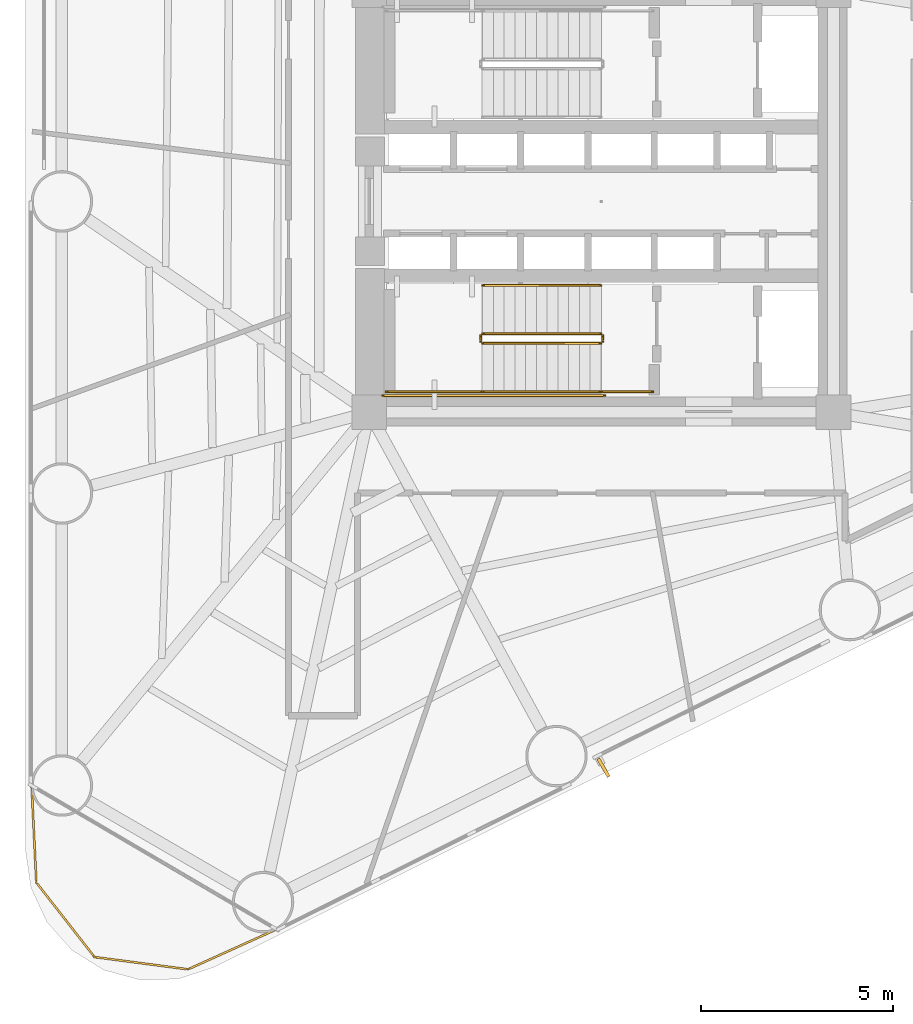
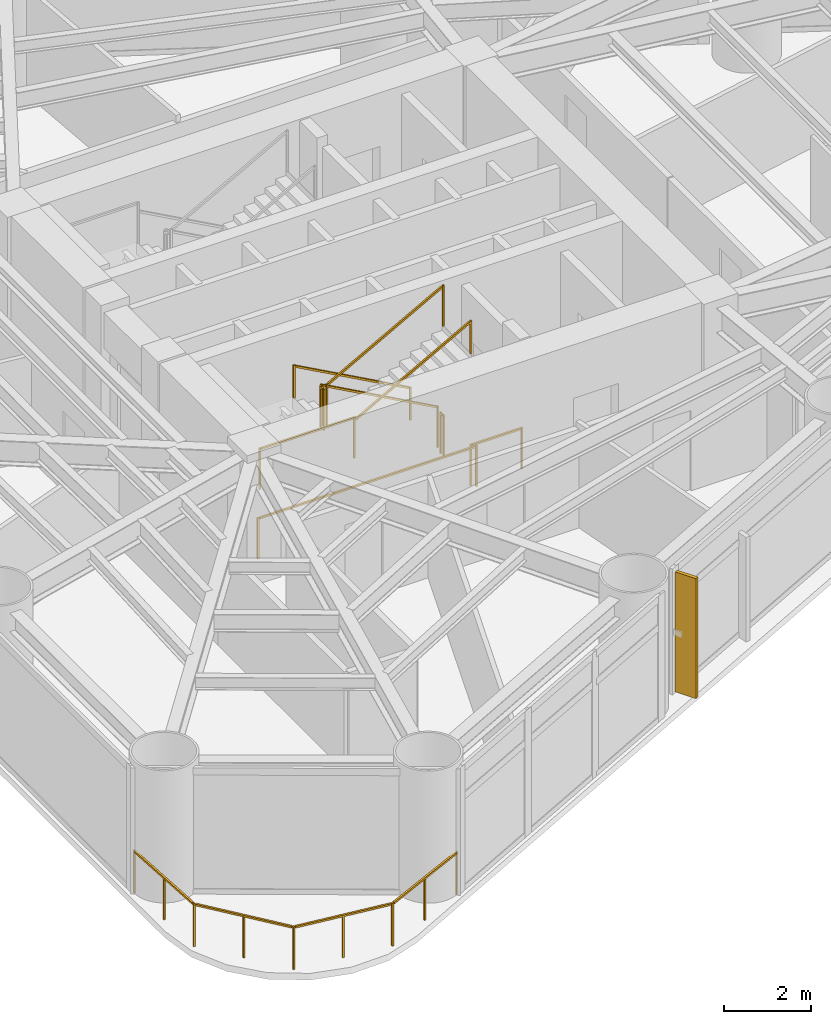
# One storey, part 8 of 10: 10 railings, 1 shading device.
"""IFC4 building model written with IfcOpenShell, lengths in metres."""

import ifcopenshell
import ifcopenshell.guid

model = None  # the IFC model being written
_history = None  # IfcOwnerHistory: only IFC2X3 demands one
_inside = {}  # id of a spatial element -> (the spatial element, [elements in it])
_under = {}  # id of a project, library or spatial element -> (it, [spatial elements below it])
_declared = {}  # id of a project -> (the project, [libraries it declares])
_typed = {}  # id of a type object -> (the type object, [elements of that type])
_made_of = {}  # id of a material, layer set ... -> (it, [elements and type objects made of it])


def new_model(schema):
    """Start an empty IFC model of exactly this schema.

    Asked for "IFC4X3", IfcOpenShell would pick the latest addendum, in which some entities
    have other attributes; the version numbers below select the first issue.
    IFC2X3 requires an IfcOwnerHistory on every rooted entity: one is made here for all.
    """
    global model, _history
    if schema == "IFC4X3":
        model = ifcopenshell.file(schema_version=(4, 3, 0, 0))
    else:
        model = ifcopenshell.file(schema=schema)
    _inside.clear()
    _under.clear()
    _declared.clear()
    _typed.clear()
    _made_of.clear()
    _history = None
    if model.schema == "IFC2X3":
        org = make("IfcOrganization", Name="unknown")
        user = make(
            "IfcPersonAndOrganization",
            ThePerson=make("IfcPerson", FamilyName="unknown"),
            TheOrganization=org,
        )
        app = make(
            "IfcApplication",
            ApplicationDeveloper=org,
            Version="unknown",
            ApplicationFullName="unknown",
            ApplicationIdentifier="unknown",
        )
        _history = make(
            "IfcOwnerHistory",
            OwningUser=user,
            OwningApplication=app,
            ChangeAction="ADDED",
            CreationDate=0,
        )
    return model


def make(cls, **values):
    """One entity of the class cls with the attributes given. An attribute that is None is left unset."""
    return model.create_entity(
        cls, **{name: value for name, value in values.items() if value is not None}
    )


def rooted(cls, **values):
    """An entity with a GlobalId (a new one), such as an element, a storey or a relation."""
    return make(cls, GlobalId=ifcopenshell.guid.new(), OwnerHistory=_history, **values)


def si_unit(unit_type, name, prefix=None):
    """IfcSIUnit, for example si_unit("LENGTHUNIT", "METRE", prefix="MILLI")."""
    return make("IfcSIUnit", UnitType=unit_type, Prefix=prefix, Name=name)


def assignment(units):
    """IfcUnitAssignment: the units of a project."""
    return None if units is None else make("IfcUnitAssignment", Units=units)


def point(xyz):
    """IfcCartesianPoint."""
    return None if xyz is None else make("IfcCartesianPoint", Coordinates=xyz)


def direction(xyz):
    """IfcDirection."""
    return None if xyz is None else make("IfcDirection", DirectionRatios=xyz)


def frame(location, z_axis=None, x_axis=None):
    """IfcAxis2Placement3D, a coordinate frame: its origin and axes. An axis left out is left unset."""
    return make(
        "IfcAxis2Placement3D",
        Location=point(location),
        Axis=direction(z_axis),
        RefDirection=direction(x_axis),
    )


def frame_2d(location, x_axis=None):
    """IfcAxis2Placement2D, a coordinate frame in the plane: its origin and x axis."""
    return make(
        "IfcAxis2Placement2D", Location=point(location), RefDirection=direction(x_axis)
    )


def origin():
    """The frame at (0, 0, 0) with its axes left unset."""
    return frame((0.0, 0.0, 0.0))


def origin_2d():
    """The frame at (0, 0) in the plane with its x axis left unset."""
    return frame_2d((0.0, 0.0))


def place(relative_to, where):
    """IfcLocalPlacement: puts the frame where relative to a parent placement (None: the world)."""
    return make(
        "IfcLocalPlacement", PlacementRelTo=relative_to, RelativePlacement=where
    )


def context(
    kind, dimensions, precision=None, world=None, true_north=None, identifier=None
):
    """IfcGeometricRepresentationContext, for example the 3D "Model" context."""
    return make(
        "IfcGeometricRepresentationContext",
        ContextIdentifier=identifier,
        ContextType=kind,
        CoordinateSpaceDimension=dimensions,
        Precision=precision,
        WorldCoordinateSystem=world,
        TrueNorth=true_north,
    )


def subcontext(parent, identifier, kind, view, scale=None):
    """IfcGeometricRepresentationSubContext, for example "Body" below "Model"."""
    return make(
        "IfcGeometricRepresentationSubContext",
        ContextIdentifier=identifier,
        ContextType=kind,
        ParentContext=parent,
        TargetScale=scale,
        TargetView=view,
    )


def project(units=None, contexts=None):
    """IfcProject with its units and contexts."""
    return rooted(
        "IfcProject",
        Name="project",
        RepresentationContexts=contexts,
        UnitsInContext=assignment(units),
    )


def spatial(cls, under=None, at=None, **own):
    """A site, building, storey or space (cls), placed at a placement, below another one or the project."""
    s = rooted(cls, ObjectPlacement=at, **own)
    if under is not None:
        _under.setdefault(under.id(), (under, []))[1].append(s)
    return s


def profile(cls, at=None, kind="AREA", **sizes):
    """A parametric profile (cls). Its sizes go by their IFC names, for example OverallWidth=200.0."""
    return make(cls, ProfileType=kind, Position=at, **sizes)


def rectangle(**sizes):
    """IfcRectangleProfileDef."""
    return profile("IfcRectangleProfileDef", **sizes)


def extrude(swept, where, along, depth):
    """IfcExtrudedAreaSolid: the profile swept, set in the frame where, extruded along a direction by depth."""
    return make(
        "IfcExtrudedAreaSolid",
        SweptArea=swept,
        Position=where,
        ExtrudedDirection=direction(along),
        Depth=depth,
    )


def shape(context_of_items, identifier, shape_type, items):
    """IfcShapeRepresentation: the items that make up one representation, for example the "Body"."""
    return make(
        "IfcShapeRepresentation",
        ContextOfItems=context_of_items,
        RepresentationIdentifier=identifier,
        RepresentationType=shape_type,
        Items=items,
    )


def source(mapping_origin, context_of_items, identifier, shape_type, items):
    """IfcRepresentationMap: a shape defined once, which mapped items show again and again."""
    return make(
        "IfcRepresentationMap",
        MappingOrigin=mapping_origin,
        MappedRepresentation=shape(context_of_items, identifier, shape_type, items),
    )


def transform(
    local_origin,
    x_axis=None,
    y_axis=None,
    z_axis=None,
    scale=None,
    scale2=None,
    scale3=None,
    uniform=True,
):
    """IfcCartesianTransformationOperator3D, or its non-uniform kind. x_axis, y_axis, z_axis: its Axis1, 2, 3."""
    if uniform:
        return make(
            "IfcCartesianTransformationOperator3D",
            Axis1=direction(x_axis),
            Axis2=direction(y_axis),
            LocalOrigin=point(local_origin),
            Scale=scale,
            Axis3=direction(z_axis),
        )
    return make(
        "IfcCartesianTransformationOperator3DnonUniform",
        Axis1=direction(x_axis),
        Axis2=direction(y_axis),
        LocalOrigin=point(local_origin),
        Scale=scale,
        Axis3=direction(z_axis),
        Scale2=scale2,
        Scale3=scale3,
    )


def mapped(mapping_source, mapping_target):
    """IfcMappedItem: shows the shape of a source again, moved by a transform."""
    return make(
        "IfcMappedItem", MappingSource=mapping_source, MappingTarget=mapping_target
    )


def material(Name=None, Category=None):
    """IfcMaterial."""
    return make("IfcMaterial", Name=Name, Category=Category)


def material_profile(
    of_material, cross_section, Name=None, Category=None, Priority=None
):
    """IfcMaterialProfile: a cross section and its material."""
    return make(
        "IfcMaterialProfile",
        Name=Name,
        Material=of_material,
        Profile=cross_section,
        Priority=Priority,
        Category=Category,
    )


def profile_set(profiles, Name=None, composite=None):
    """IfcMaterialProfileSet."""
    return make(
        "IfcMaterialProfileSet",
        Name=Name,
        MaterialProfiles=profiles,
        CompositeProfile=composite,
    )


def made_of(thing, what):
    """Note that an element or type object is made of a material, layer set ...; save() writes the relation."""
    if what is not None:
        _made_of.setdefault(what.id(), (what, []))[1].append(thing)
    return thing


def type_object(cls, material=None, **own):
    """A type object (cls), such as IfcWallType, which elements share."""
    return made_of(rooted(cls, **own), material)


def element(
    cls,
    number,
    at=None,
    inside=None,
    cuts=None,
    type_object=None,
    material=None,
    context=None,
    identifier="Body",
    shape_type=None,
    held_by="IfcProductDefinitionShape",
    body=None,
    shapes=None,
    **own,
):
    """One element of the class cls, such as IfcWall. Its Tag is "e" and its number.

    at: its placement. inside: the storey or other place that contains it. cuts: it is an
    opening in that element (IfcRelVoidsElement). A single representation is given by context,
    identifier, shape_type and body (its items); several are given by shapes. held_by: the class
    of the entity that holds the representations. save() writes the other relations.
    """
    e = rooted(cls, Tag="e%d" % number, ObjectPlacement=at, **own)
    if body is not None:
        shapes = [shape(context, identifier, shape_type, body)]
    if shapes is not None:
        e.Representation = make(held_by, Representations=shapes)
    if inside is not None:
        _inside.setdefault(inside.id(), (inside, []))[1].append(e)
    if cuts is not None:
        rooted(
            "IfcRelVoidsElement", RelatingBuildingElement=cuts, RelatedOpeningElement=e
        )
    if type_object is not None:
        _typed.setdefault(type_object.id(), (type_object, []))[1].append(e)
    return made_of(e, material)


def aggregate(whole, parts):
    """IfcRelAggregates: a whole, such as a stair, and the parts it consists of."""
    return rooted("IfcRelAggregates", RelatingObject=whole, RelatedObjects=parts)


def save(model, path):
    """Write the relations noted so far, then the file.

    IfcRelAggregates (storeys below a building ...), IfcRelContainedInSpatialStructure (elements
    in a storey), IfcRelDefinesByType, IfcRelAssociatesMaterial and IfcRelDeclares: one each for
    every whole, place, type object, material and project.
    """
    for whole, parts in _under.values():
        aggregate(whole, parts)
    for where, things in _inside.values():
        rooted(
            "IfcRelContainedInSpatialStructure",
            RelatedElements=things,
            RelatingStructure=where,
        )
    for kind, things in _typed.values():
        rooted("IfcRelDefinesByType", RelatedObjects=things, RelatingType=kind)
    for what, things in _made_of.values():
        rooted("IfcRelAssociatesMaterial", RelatedObjects=things, RelatingMaterial=what)
    for by, libraries in _declared.values():
        rooted("IfcRelDeclares", RelatingContext=by, RelatedDefinitions=libraries)
    model.write(path)


model = new_model("IFC4")

# Units and contexts
model_context = context("Model", 3, precision=1e-05, world=origin(), true_north=direction((0.0, 1.0)))
body_context = subcontext(model_context, "Body", "Model", "MODEL_VIEW")
ifc_project = project(units=[si_unit("LENGTHUNIT", "METRE"), si_unit("AREAUNIT", "SQUARE_METRE"), si_unit("VOLUMEUNIT", "CUBIC_METRE"), si_unit("PLANEANGLEUNIT", "RADIAN"), si_unit("MASSUNIT", "GRAM", prefix="KILO")], contexts=[model_context])

# Site, building, storey
site_placement = place(None, origin())
site = spatial("IfcSite", under=ifc_project, at=site_placement, CompositionType="ELEMENT")
building_placement = place(site_placement, origin())
building = spatial("IfcBuilding", under=site, at=building_placement, Name="Yunling Apex Tower", CompositionType="ELEMENT")
storey_placement = place(building_placement, frame((0.0, 0.0, 46.0)))
storey = spatial("IfcBuildingStorey", under=building, at=storey_placement, Name="L13", CompositionType="ELEMENT", Elevation=46.0)

# Railings
ifc_material_1 = material(Name="Bronze anodised aluminium", Category="aluminium")
railing_type_1 = type_object("IfcRailingType", Name="RL-BAL-1200", PredefinedType="BALUSTRADE", material=ifc_material_1)
railing_1_placement = place(storey_placement, frame((-8.45947265625, -18.965087890625, 0.0)))
element("IfcRailing", 1, at=railing_1_placement, inside=storey, type_object=railing_type_1, Name="RL-CRNSILL-L13-3", PredefinedType="BALUSTRADE", context=body_context, shape_type="SweptSolid", body=[
    extrude(rectangle(XDim=0.0439453125, YDim=0.0439453125, at=origin_2d()), origin(), (0.0, 0.0, 1.0), 1.199951171875),
    extrude(rectangle(XDim=0.0439453125, YDim=0.0439453125, at=origin_2d()), frame((-2.30712890625, -1.04296875, 0.0)), (0.0, 0.0, 1.0), 1.199951171875),
    extrude(rectangle(XDim=0.050048828125, YDim=0.050048828125, at=origin_2d()), frame((-0.034912109375, -0.015869140625, 1.1748046875), z_axis=(-0.911216522497, -0.411927723186, 0.0), x_axis=(0.411927723186, -0.911216522497, 0.0)), (0.0, 0.0, 1.0), 2.455322265625),
    extrude(rectangle(XDim=0.0439453125, YDim=0.0439453125, at=origin_2d()), frame((-1.153564453125, -0.521484375, 0.0)), (0.0, 0.0, 1.0), 1.14599609375),
    extrude(rectangle(XDim=0.0439453125, YDim=0.0439453125, at=origin_2d()), frame((-4.741943359375, -0.723388671875, 0.0)), (0.0, 0.0, 1.0), 1.199951171875),
    extrude(rectangle(XDim=0.050048828125, YDim=0.050048828125, at=origin_2d()), frame((-2.34521484375, -1.0380859375, 1.1748046875), z_axis=(-0.991495866646, 0.130138182035, 0.0), x_axis=(-0.130138182035, -0.991495866646, 0.0)), (0.0, 0.0, 1.0), 2.379150390625),
    extrude(rectangle(XDim=0.0439453125, YDim=0.0439453125, at=origin_2d()), frame((-3.5244140625, -0.88330078125, 0.0)), (0.0, 0.0, 1.0), 1.14599609375),
    extrude(rectangle(XDim=0.0439453125, YDim=0.0439453125, at=origin_2d()), frame((-6.258544921875, 1.21826171875, 0.0)), (0.0, 0.0, 1.0), 1.199951171875),
    extrude(rectangle(XDim=0.050048828125, YDim=0.050048828125, at=origin_2d()), frame((-4.765625, -0.693115234375, 1.1748046875), z_axis=(-0.615565197226, 0.788085964832, 0.0), x_axis=(-0.788085964832, -0.615565197226, 0.0)), (0.0, 0.0, 1.0), 2.38720703125),
    extrude(rectangle(XDim=0.0439453125, YDim=0.0439453125, at=origin_2d()), frame((-5.500244140625, 0.24755859375, 0.0)), (0.0, 0.0, 1.0), 1.14599609375),
    extrude(rectangle(XDim=0.0439453125, YDim=0.0439453125, at=origin_2d()), frame((-6.382568359375, 3.74609375, 0.0)), (0.0, 0.0, 1.0), 1.199951171875),
    extrude(rectangle(XDim=0.050048828125, YDim=0.050048828125, at=origin_2d()), frame((-6.260498046875, 1.256591796875, 1.1748046875), z_axis=(-0.049004218115, 0.998798571588, 0.0), x_axis=(-0.998798571588, -0.049004218115, 0.0)), (0.0, 0.0, 1.0), 2.4541015625),
    extrude(rectangle(XDim=0.0439453125, YDim=0.0439453125, at=origin_2d()), frame((-6.320556640625, 2.482177734375, 0.0)), (0.0, 0.0, 1.0), 1.14599609375),
])
ifc_material_2 = material(Name="Steel Q355B", Category="steel")
railing_type_2 = type_object("IfcRailingType", Name="RL-GRD-1150", PredefinedType="GUARDRAIL", material=ifc_material_2)
railing_2_placement = place(storey_placement, frame((-0.010009765625, -3.449951171875, 0.154052734375)))
element("IfcRailing", 2, at=railing_2_placement, inside=storey, type_object=railing_type_2, Name="L13 ST-2 stair guard 1", PredefinedType="GUARDRAIL", context=body_context, shape_type="SweptSolid", body=[
    extrude(rectangle(XDim=0.0439453125, YDim=0.0439453125, at=origin_2d()), origin(), (0.0, 0.0, 1.0), 1.14990234375),
    extrude(rectangle(XDim=0.0439453125, YDim=0.0439453125, at=origin_2d()), frame((-3.080078125, 0.0, 1.696044921875)), (0.0, 0.0, 1.0), 1.14990234375),
    extrude(rectangle(XDim=0.050048828125, YDim=0.050048828125, at=origin_2d()), frame((-0.03369140625, 0.0, 1.143310546875), z_axis=(-0.875975380505, 0.0, 0.482355815502), x_axis=(0.0, -1.0, 0.0)), (0.0, 0.0, 1.0), 3.439453125),
])
railing_3_placement = place(storey_placement, frame((-3.139892578125, -3.5, 1.85009765625)))
element("IfcRailing", 3, at=railing_3_placement, inside=storey, type_object=railing_type_2, Name="L13 ST-2 stair guard 2", PredefinedType="GUARDRAIL", context=body_context, shape_type="SweptSolid", body=[
    extrude(rectangle(XDim=0.0439453125, YDim=0.0439453125, at=origin_2d()), origin(), (0.0, 0.0, 1.0), 1.14990234375),
    extrude(rectangle(XDim=0.0439453125, YDim=0.0439453125, at=origin_2d()), frame((0.0, -0.14990234375, 0.0)), (0.0, 0.0, 1.0), 1.14990234375),
    extrude(rectangle(XDim=0.050048828125, YDim=0.050048828125, at=origin_2d()), frame((0.0, -0.038330078125, 1.125), z_axis=(0.0, -1.0, 0.0), x_axis=(1.0, 0.0, 0.0)), (0.0, 0.0, 1.0), 0.0732421875),
])
railing_4_placement = place(storey_placement, frame((-3.090087890625, -4.9599609375, 1.85009765625)))
element("IfcRailing", 4, at=railing_4_placement, inside=storey, type_object=railing_type_2, Name="L13 ST-2 stair guard 3", PredefinedType="GUARDRAIL", context=body_context, shape_type="SweptSolid", body=[
    extrude(rectangle(XDim=0.0439453125, YDim=0.0439453125, at=origin_2d()), origin(), (0.0, 0.0, 1.0), 1.14990234375),
    extrude(rectangle(XDim=0.0439453125, YDim=0.0439453125, at=origin_2d()), frame((-2.510009765625, 0.0, 0.0)), (0.0, 0.0, 1.0), 1.14990234375),
    extrude(rectangle(XDim=0.050048828125, YDim=0.050048828125, at=origin_2d()), frame((-0.038330078125, 0.0, 1.125), z_axis=(-1.0, 0.0, 0.0), x_axis=(0.0, -1.0, 0.0)), (0.0, 0.0, 1.0), 2.433349609375),
])
railing_5_placement = place(storey_placement, frame((-3.090087890625, -3.699951171875, 2.004150390625)))
element("IfcRailing", 5, at=railing_5_placement, inside=storey, type_object=railing_type_2, Name="L13 ST-2 stair guard 4", PredefinedType="GUARDRAIL", context=body_context, shape_type="SweptSolid", body=[
    extrude(rectangle(XDim=0.0439453125, YDim=0.0439453125, at=origin_2d()), origin(), (0.0, 0.0, 1.0), 1.14990234375),
    extrude(rectangle(XDim=0.0439453125, YDim=0.0439453125, at=origin_2d()), frame((3.080078125, 0.0, 1.69580078125)), (0.0, 0.0, 1.0), 1.14990234375),
    extrude(rectangle(XDim=0.050048828125, YDim=0.050048828125, at=origin_2d()), frame((0.03369140625, 0.0, 1.143310546875), z_axis=(0.876004717809, 0.0, 0.482302534076), x_axis=(0.0, 1.0, 0.0)), (0.0, 0.0, 1.0), 3.439453125),
])
railing_6_placement = place(storey_placement, frame((0.0400390625, -3.5, 0.0)))
element("IfcRailing", 6, at=railing_6_placement, inside=storey, type_object=railing_type_2, Name="L13 ST-2 stair guard 5", PredefinedType="GUARDRAIL", context=body_context, shape_type="SweptSolid", body=[
    extrude(rectangle(XDim=0.0439453125, YDim=0.0439453125, at=origin_2d()), origin(), (0.0, 0.0, 1.0), 1.14990234375),
    extrude(rectangle(XDim=0.0439453125, YDim=0.0439453125, at=origin_2d()), frame((0.0, -0.14990234375, 0.0)), (0.0, 0.0, 1.0), 1.14990234375),
    extrude(rectangle(XDim=0.050048828125, YDim=0.050048828125, at=origin_2d()), frame((0.0, -0.038330078125, 1.125), z_axis=(0.0, -1.0, 0.0), x_axis=(1.0, 0.0, 0.0)), (0.0, 0.0, 1.0), 0.0732421875),
])
railing_7_placement = place(storey_placement, frame((1.35009765625, -4.9599609375, 0.0)))
element("IfcRailing", 7, at=railing_7_placement, inside=storey, type_object=railing_type_2, Name="L13 ST-2 stair guard 6", PredefinedType="GUARDRAIL", context=body_context, shape_type="SweptSolid", body=[
    extrude(rectangle(XDim=0.0439453125, YDim=0.0439453125, at=origin_2d()), origin(), (0.0, 0.0, 1.0), 1.14990234375),
    extrude(rectangle(XDim=0.0439453125, YDim=0.0439453125, at=origin_2d()), frame((-1.360107421875, 0.0, 0.0)), (0.0, 0.0, 1.0), 1.14990234375),
    extrude(rectangle(XDim=0.050048828125, YDim=0.050048828125, at=origin_2d()), frame((-0.038330078125, 0.0, 1.125), z_axis=(-1.0, 0.0, 0.0), x_axis=(0.0, -1.0, 0.0)), (0.0, 0.0, 1.0), 1.283447265625),
])
railing_8_placement = place(storey_placement, frame((0.090087890625, -5.06005859375, 0.0)))
element("IfcRailing", 8, at=railing_8_placement, inside=storey, type_object=railing_type_2, Name="L13 ST-2 stair guard 7", PredefinedType="GUARDRAIL", context=body_context, shape_type="SweptSolid", body=[
    extrude(rectangle(XDim=0.0439453125, YDim=0.0439453125, at=origin_2d()), origin(), (0.0, 0.0, 1.0), 1.14990234375),
    extrude(rectangle(XDim=0.0439453125, YDim=0.0439453125, at=origin_2d()), frame((-5.7900390625, 0.0, 0.0)), (0.0, 0.0, 1.0), 1.14990234375),
    extrude(rectangle(XDim=0.050048828125, YDim=0.050048828125, at=origin_2d()), frame((-0.038330078125, 0.0, 1.125), z_axis=(-1.0, 0.0, 0.0), x_axis=(0.0, -1.0, 0.0)), (0.0, 0.0, 1.0), 5.71337890625),
])
ifc_material_3 = material(Name="Silver anodised aluminium", Category="aluminium")
railing_type_3 = type_object("IfcRailingType", Name="RL-HND-900", PredefinedType="HANDRAIL", material=ifc_material_3)
railing_9_placement = place(storey_placement, frame((-0.010009765625, -2.18994140625, 0.154052734375)))
element("IfcRailing", 9, at=railing_9_placement, inside=storey, type_object=railing_type_3, Name="L13 ST-2 stair handrail 1", PredefinedType="HANDRAIL", context=body_context, shape_type="SweptSolid", body=[
    extrude(rectangle(XDim=0.0439453125, YDim=0.0439453125, at=origin_2d()), origin(), (0.0, 0.0, 1.0), 0.919921875),
    extrude(rectangle(XDim=0.0439453125, YDim=0.0439453125, at=origin_2d()), frame((-3.080078125, 0.0, 1.696044921875)), (0.0, 0.0, 1.0), 0.919921875),
    extrude(rectangle(XDim=0.050048828125, YDim=0.050048828125, at=origin_2d()), frame((-0.03369140625, 0.0, 0.913330078125), z_axis=(-0.875975380505, 0.0, 0.482355815502), x_axis=(0.0, -1.0, 0.0)), (0.0, 0.0, 1.0), 3.439453125),
])
railing_10_placement = place(storey_placement, frame((-3.090087890625, -4.9599609375, 2.004150390625)))
element("IfcRailing", 10, at=railing_10_placement, inside=storey, type_object=railing_type_3, Name="L13 ST-2 stair handrail 2", PredefinedType="HANDRAIL", context=body_context, shape_type="SweptSolid", body=[
    extrude(rectangle(XDim=0.0439453125, YDim=0.0439453125, at=origin_2d()), origin(), (0.0, 0.0, 1.0), 0.919921875),
    extrude(rectangle(XDim=0.0439453125, YDim=0.0439453125, at=origin_2d()), frame((3.080078125, 0.0, 1.69580078125)), (0.0, 0.0, 1.0), 0.919921875),
    extrude(rectangle(XDim=0.050048828125, YDim=0.050048828125, at=origin_2d()), frame((0.03369140625, 0.0, 0.913330078125), z_axis=(0.876004717809, 0.0, 0.482302534076), x_axis=(0.0, 1.0, 0.0)), (0.0, 0.0, 1.0), 3.439453125),
])

# Shading device
ifc_material_profile = material_profile(ifc_material_1, rectangle(XDim=0.0849609375, YDim=0.550048828125, at=origin_2d()))
ifc_profile_set = profile_set([ifc_material_profile], Name="Bronze anodised aluminium")
shading_device_type = type_object("IfcShadingDeviceType", Name="FN-BRZ-3", PredefinedType="USERDEFINED", material=ifc_profile_set)
shared_shape = source(origin(), body_context, "Body", "SweptSolid", [
    extrude(rectangle(XDim=0.0849609375, YDim=0.550048828125, at=origin_2d()), origin(), (0.0, 0.0, 1.0), 3.360107421875),
])
shading_device_placement = place(storey_placement, frame((0.0576171875, -14.75390625, 0.06005859375), z_axis=(0.0, 0.0, 1.0), x_axis=(0.864186995248, 0.503170783377, 0.0)))
element("IfcShadingDevice", 11, at=shading_device_placement, inside=storey, type_object=shading_device_type, Name="CW-L13-F1-B2-FIN-01", ObjectType="FIN", PredefinedType="USERDEFINED", context=body_context, shape_type="MappedRepresentation", body=[
    mapped(shared_shape, transform((0.0, 0.0, 0.0), scale=1.0)),
])

save(model, "model.ifc")
